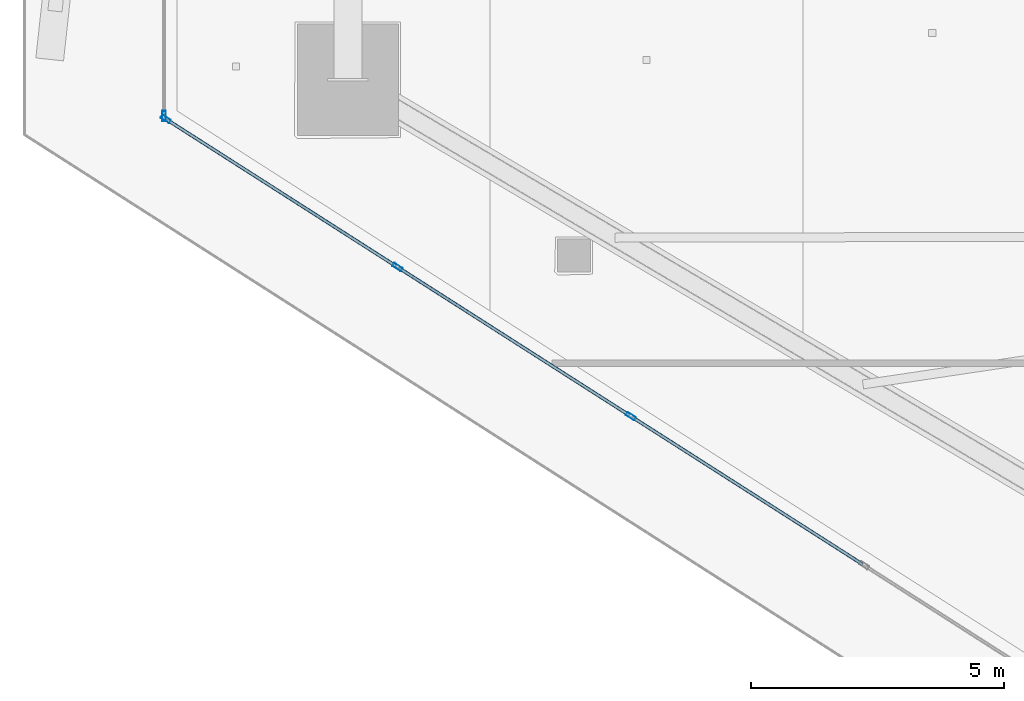
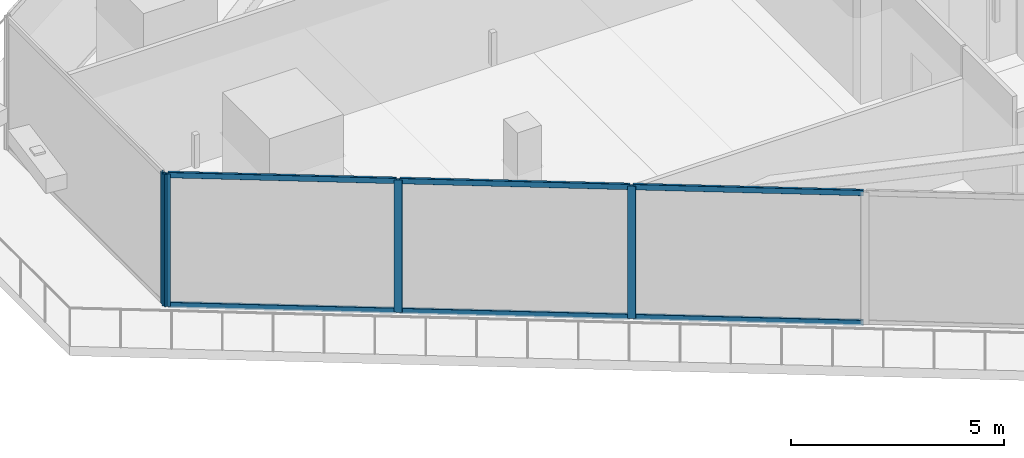
# One storey, part 4 of 43: 10 members, 2 elements without a shape of their own.
"""IFC4 building model written with IfcOpenShell, lengths in metres."""

from ifc_helpers import new_model, si_unit, direction, frame, origin, origin_2d, place, context, subcontext, project, spatial, hollow_rectangle, extrude, material, layer, layer_set, material_profile, profile_set, type_object, element, aggregate, save


model = new_model("IFC4")

# Units and contexts
model_context = context("Model", 3, precision=1e-05, world=origin(), true_north=direction((0.0, 1.0)))
body_context = subcontext(model_context, "Body", "Model", "MODEL_VIEW")
ifc_project = project(units=[si_unit("LENGTHUNIT", "METRE"), si_unit("AREAUNIT", "SQUARE_METRE"), si_unit("VOLUMEUNIT", "CUBIC_METRE"), si_unit("PLANEANGLEUNIT", "RADIAN"), si_unit("MASSUNIT", "GRAM", prefix="KILO")], contexts=[model_context])

# Site, building, storey
site_placement = place(None, origin())
site = spatial("IfcSite", under=ifc_project, at=site_placement, CompositionType="ELEMENT")
building_placement = place(site_placement, origin())
building = spatial("IfcBuilding", under=site, at=building_placement, Name="Qorvath Tower", CompositionType="ELEMENT")
storey_placement = place(building_placement, frame((0.0, 0.0, 150.300048828125)))
storey = spatial("IfcBuildingStorey", under=building, at=storey_placement, Name="L34", CompositionType="ELEMENT", Elevation=150.300048828125)

# Curtain wall, member
ifc_material_1 = material(Name="Anodised aluminium and triple low-E glass", Category="aluminium")
ifc_layer = layer(ifc_material_1, 0.179931640625)
ifc_layer_set = layer_set([ifc_layer], Name="CW-SYS-5")
curtain_wall_type = type_object("IfcCurtainWallType", Name="CW-SYS-5", PredefinedType="NOTDEFINED", material=ifc_layer_set)
curtain_wall_1_placement = place(storey_placement, origin())
curtain_wall_1 = element("IfcCurtainWall", 1, at=curtain_wall_1_placement, inside=storey, type_object=curtain_wall_type, Name="Curtain Wall CW-5 CW-T-L34-17.1", PredefinedType="NOTDEFINED")
ifc_material_2 = material(Name="Anodised aluminium 6063-T6", Category="aluminium")
ifc_material_profile_1 = material_profile(ifc_material_2, hollow_rectangle(XDim=0.074951171875, YDim=0.199951171875, WallThickness=0.00390625, InnerFilletRadius=0.00390625, OuterFilletRadius=0.008056640625, at=origin_2d()), Name="CWM 200x75")
ifc_profile_set_1 = profile_set([ifc_material_profile_1], Name="Anodised aluminium 6063-T6")
member_type_1 = type_object("IfcMemberType", Name="CWM-200", PredefinedType="MULLION", material=ifc_profile_set_1)
member_1_placement = place(storey_placement, frame((-56.683837890625, -3.66552734375, 0.0), z_axis=(0.0, 0.0, 1.0), x_axis=(1.0, 0.0, 0.0)))
member_1 = element("IfcMember", 2, at=member_1_placement, type_object=member_type_1, Name="CW-5 mullion 2", PredefinedType="MULLION", context=body_context, shape_type="SweptSolid", body=[
    extrude(hollow_rectangle(XDim=0.074951171875, YDim=0.199951171875, WallThickness=0.00390625, InnerFilletRadius=0.00390625, OuterFilletRadius=0.008056640625, at=origin_2d()), origin(), (0.0, 0.0, 1.0), 3.780029296875),
])
aggregate(curtain_wall_1, [member_1])

# Curtain wall, members
curtain_wall_2_placement = place(storey_placement, origin())
curtain_wall_2 = element("IfcCurtainWall", 3, at=curtain_wall_2_placement, inside=storey, type_object=curtain_wall_type, Name="Curtain Wall CW-5 CW-T-L34-18.1", PredefinedType="NOTDEFINED")
member_2_placement = place(storey_placement, frame((-56.652099609375, -3.723388671875, 0.0), z_axis=(0.0, 0.0, 1.0), x_axis=(0.538536247531, 0.842602343989, 0.0)))
member_2 = element("IfcMember", 4, at=member_2_placement, type_object=member_type_1, Name="CW-5 mullion 1", PredefinedType="MULLION", context=body_context, shape_type="SweptSolid", body=[
    extrude(hollow_rectangle(XDim=0.074951171875, YDim=0.199951171875, WallThickness=0.00390625, InnerFilletRadius=0.00390625, OuterFilletRadius=0.008056640625, at=origin_2d()), origin(), (0.0, 0.0, 1.0), 3.780029296875),
])
member_3_placement = place(storey_placement, frame((-52.0712890625, -6.651123046875, 0.0), z_axis=(0.0, 0.0, 1.0), x_axis=(0.538536247531, 0.842602343989, 0.0)))
member_3 = element("IfcMember", 5, at=member_3_placement, type_object=member_type_1, Name="CW-5 mullion 2", PredefinedType="MULLION", context=body_context, shape_type="SweptSolid", body=[
    extrude(hollow_rectangle(XDim=0.074951171875, YDim=0.199951171875, WallThickness=0.00390625, InnerFilletRadius=0.00390625, OuterFilletRadius=0.008056640625, at=origin_2d()), origin(), (0.0, 0.0, 1.0), 3.780029296875),
])
member_4_placement = place(storey_placement, frame((-47.458740234375, -9.59912109375, 0.0), z_axis=(0.0, 0.0, 1.0), x_axis=(0.538536247531, 0.842602343989, 0.0)))
member_4 = element("IfcMember", 6, at=member_4_placement, type_object=member_type_1, Name="CW-5 mullion 3", PredefinedType="MULLION", context=body_context, shape_type="SweptSolid", body=[
    extrude(hollow_rectangle(XDim=0.074951171875, YDim=0.199951171875, WallThickness=0.00390625, InnerFilletRadius=0.00390625, OuterFilletRadius=0.008056640625, at=origin_2d()), origin(), (0.0, 0.0, 1.0), 3.780029296875),
])
ifc_material_3 = material(Name="Anodised aluminium 6063-T6", Category="aluminium")
ifc_material_profile_2 = material_profile(ifc_material_3, hollow_rectangle(XDim=0.06494140625, YDim=0.159912109375, WallThickness=0.00341796875, InnerFilletRadius=0.00341796875, OuterFilletRadius=0.007080078125, at=origin_2d()), Name="CWT 160x65")
ifc_profile_set_2 = profile_set([ifc_material_profile_2], Name="Anodised aluminium 6063-T6")
member_type_2 = type_object("IfcMemberType", Name="CWT-160", PredefinedType="USERDEFINED", material=ifc_profile_set_2)
member_5_placement = place(storey_placement, frame((-56.62060546875, -3.743408203125, 0.032470703125), z_axis=(0.842592946835, -0.538550950184, 0.0), x_axis=(0.538550950184, 0.842592946835, 0.0)))
member_5 = element("IfcMember", 7, at=member_5_placement, type_object=member_type_2, Name="CW-5 transom 1.1", ObjectType="TRANSOM", PredefinedType="USERDEFINED", context=body_context, shape_type="SweptSolid", body=[
    extrude(hollow_rectangle(XDim=0.06494140625, YDim=0.159912109375, WallThickness=0.00341796875, InnerFilletRadius=0.00341796875, OuterFilletRadius=0.007080078125, at=origin_2d()), origin(), (0.0, 0.0, 1.0), 5.361572265625),
])
member_6_placement = place(storey_placement, frame((-56.62060546875, -3.743408203125, 3.74755859375), z_axis=(0.842592946835, -0.538550950184, 0.0), x_axis=(0.538550950184, 0.842592946835, 0.0)))
member_6 = element("IfcMember", 8, at=member_6_placement, type_object=member_type_2, Name="CW-5 transom 1.2", ObjectType="TRANSOM", PredefinedType="USERDEFINED", context=body_context, shape_type="SweptSolid", body=[
    extrude(hollow_rectangle(XDim=0.06494140625, YDim=0.159912109375, WallThickness=0.00341796875, InnerFilletRadius=0.00341796875, OuterFilletRadius=0.007080078125, at=origin_2d()), origin(), (0.0, 0.0, 1.0), 5.361572265625),
])
member_7_placement = place(storey_placement, frame((-52.039794921875, -6.67138671875, 0.032470703125), z_axis=(0.842615326436, -0.538515934449, 0.0), x_axis=(0.538515934449, 0.842615326436, 0.0)))
member_7 = element("IfcMember", 9, at=member_7_placement, type_object=member_type_2, Name="CW-5 transom 2.1", ObjectType="TRANSOM", PredefinedType="USERDEFINED", context=body_context, shape_type="SweptSolid", body=[
    extrude(hollow_rectangle(XDim=0.06494140625, YDim=0.159912109375, WallThickness=0.00341796875, InnerFilletRadius=0.00341796875, OuterFilletRadius=0.007080078125, at=origin_2d()), origin(), (0.0, 0.0, 1.0), 5.39892578125),
])
member_8_placement = place(storey_placement, frame((-52.039794921875, -6.67138671875, 3.74755859375), z_axis=(0.842615326436, -0.538515934449, 0.0), x_axis=(0.538515934449, 0.842615326436, 0.0)))
member_8 = element("IfcMember", 10, at=member_8_placement, type_object=member_type_2, Name="CW-5 transom 2.2", ObjectType="TRANSOM", PredefinedType="USERDEFINED", context=body_context, shape_type="SweptSolid", body=[
    extrude(hollow_rectangle(XDim=0.06494140625, YDim=0.159912109375, WallThickness=0.00341796875, InnerFilletRadius=0.00341796875, OuterFilletRadius=0.007080078125, at=origin_2d()), origin(), (0.0, 0.0, 1.0), 5.39892578125),
])
member_9_placement = place(storey_placement, frame((-47.42724609375, -9.619384765625, 0.032470703125), z_axis=(0.842615326436, -0.538515934449, 0.0), x_axis=(0.538515934449, 0.842615326436, 0.0)))
member_9 = element("IfcMember", 11, at=member_9_placement, type_object=member_type_2, Name="CW-5 transom 3.1", ObjectType="TRANSOM", PredefinedType="USERDEFINED", context=body_context, shape_type="SweptSolid", body=[
    extrude(hollow_rectangle(XDim=0.06494140625, YDim=0.159912109375, WallThickness=0.00341796875, InnerFilletRadius=0.00341796875, OuterFilletRadius=0.007080078125, at=origin_2d()), origin(), (0.0, 0.0, 1.0), 5.39892578125),
])
member_10_placement = place(storey_placement, frame((-47.42724609375, -9.619384765625, 3.74755859375), z_axis=(0.842615326436, -0.538515934449, 0.0), x_axis=(0.538515934449, 0.842615326436, 0.0)))
member_10 = element("IfcMember", 12, at=member_10_placement, type_object=member_type_2, Name="CW-5 transom 3.2", ObjectType="TRANSOM", PredefinedType="USERDEFINED", context=body_context, shape_type="SweptSolid", body=[
    extrude(hollow_rectangle(XDim=0.06494140625, YDim=0.159912109375, WallThickness=0.00341796875, InnerFilletRadius=0.00341796875, OuterFilletRadius=0.007080078125, at=origin_2d()), origin(), (0.0, 0.0, 1.0), 5.39892578125),
])
aggregate(curtain_wall_2, [member_2, member_3, member_4, member_5, member_6, member_7, member_8, member_9, member_10])

save(model, "model.ifc")
